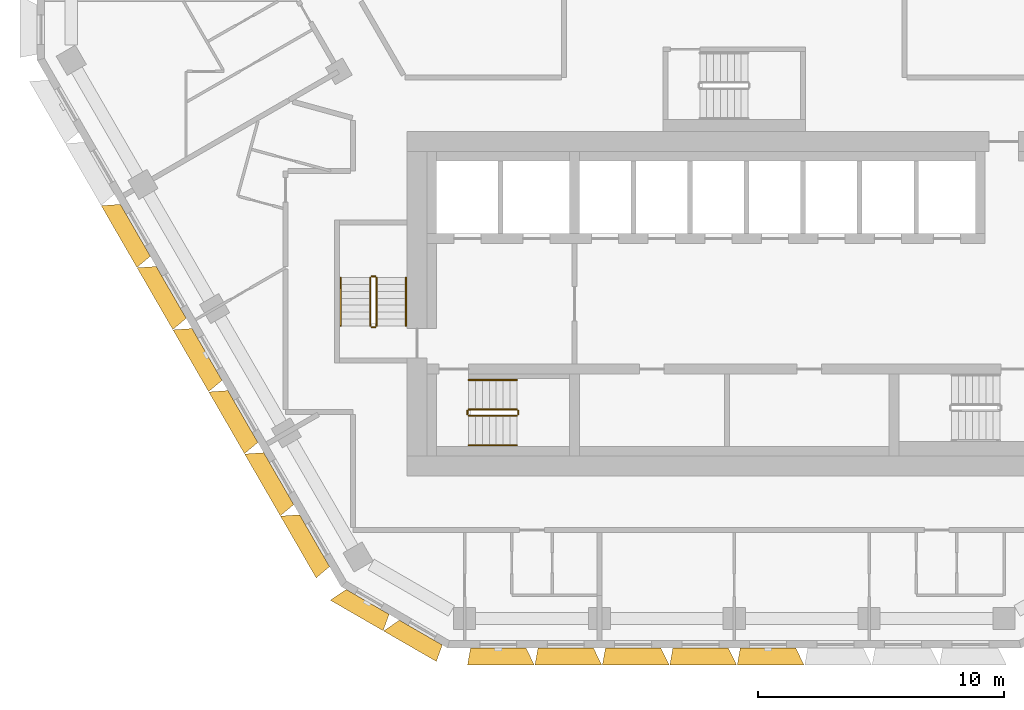
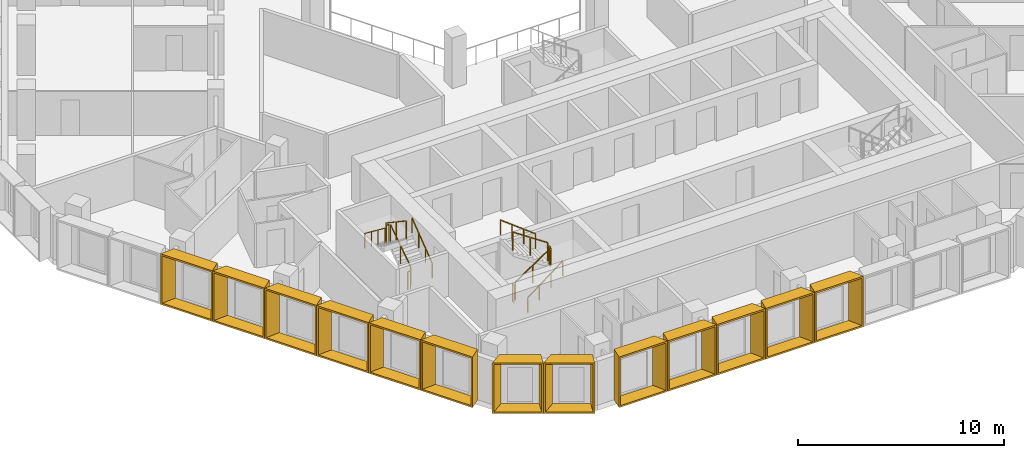
# One storey, part 14 of 17: 13 shading devices, 12 railings.
"""IFC4 building model written with IfcOpenShell, lengths in metres."""

from ifc_helpers import new_model, entity, si_unit, direction, frame, origin, origin_2d, place, context, subcontext, project, spatial, rectangle, extrude, source, transform, mapped, material, type_object, type_shapes, element, save


model = new_model("IFC4")

# Units and contexts
model_context = context("Model", 3, precision=1e-05, world=origin(), true_north=direction((0.0, 1.0)))
body_context = subcontext(model_context, "Body", "Model", "MODEL_VIEW")
ifc_project = project(units=[si_unit("LENGTHUNIT", "METRE"), si_unit("AREAUNIT", "SQUARE_METRE"), si_unit("VOLUMEUNIT", "CUBIC_METRE"), si_unit("PLANEANGLEUNIT", "RADIAN"), si_unit("MASSUNIT", "GRAM", prefix="KILO")], contexts=[model_context])

# Site, building, storey
site_placement = place(None, origin())
site = spatial("IfcSite", under=ifc_project, at=site_placement, CompositionType="ELEMENT")
building_placement = place(site_placement, origin())
building = spatial("IfcBuilding", under=site, at=building_placement, Name="Beryl Residences", CompositionType="ELEMENT")
storey_placement = place(building_placement, frame((0.0, 0.0, 150.60009765625)))
storey = spatial("IfcBuildingStorey", under=building, at=storey_placement, Name="L46", CompositionType="ELEMENT", Elevation=150.60009765625)

# Shading devices
ifc_material_1 = material(Name="Aluminium pale anodised", Category="aluminium")
shading_device_type_1 = type_object("IfcShadingDeviceType", Name="FR250-70B OUTER SKIN frame 700 mm deep, splay 26/10 deg, 2500 x 3000 mm cell", PredefinedType="USERDEFINED", material=ifc_material_1)
cartesian_point_1 = entity("IfcCartesianPoint", [-1.007568359375, 0.0])
cartesian_point_2 = entity("IfcCartesianPoint", [-0.91845703125, 0.10009765625])
cartesian_point_3 = entity("IfcCartesianPoint", [-1.348876953125, 0.0])
cartesian_point_4 = entity("IfcCartesianPoint", [-1.260009765625, 0.10009765625])
shared_shape_1 = source(origin(), body_context, "Body", "SweptSolid", [
    entity("IfcExtrudedAreaSolidTapered", entity("IfcArbitraryProfileDefWithVoids", "AREA", None, entity("IfcPolyline", [cartesian_point_1, entity("IfcCartesianPoint", [1.007568359375, 0.0]), entity("IfcCartesianPoint", [1.007568359375, 3.0]), entity("IfcCartesianPoint", [-1.007568359375, 3.0]), cartesian_point_1]), [entity("IfcPolyline", [cartesian_point_2, entity("IfcCartesianPoint", [0.92626953125, 0.10009765625]), entity("IfcCartesianPoint", [0.92626953125, 2.89990234375]), entity("IfcCartesianPoint", [-0.91845703125, 2.89990234375]), cartesian_point_2])]), entity("IfcAxis2Placement3D", entity("IfcCartesianPoint", [0.0, 0.0, 0.0]), entity("IfcDirection", [0.0, 1.0, 0.0]), entity("IfcDirection", [-1.0, 0.0, 0.0])), entity("IfcDirection", [0.0, 0.0, 1.0]), 0.699951171875, entity("IfcArbitraryProfileDefWithVoids", "AREA", None, entity("IfcPolyline", [cartesian_point_3, entity("IfcCartesianPoint", [1.130859375, 0.0]), entity("IfcCartesianPoint", [1.130859375, 3.0]), entity("IfcCartesianPoint", [-1.348876953125, 3.0]), cartesian_point_3]), [entity("IfcPolyline", [cartesian_point_4, entity("IfcCartesianPoint", [1.0498046875, 0.10009765625]), entity("IfcCartesianPoint", [1.0498046875, 2.89990234375]), entity("IfcCartesianPoint", [-1.260009765625, 2.89990234375]), cartesian_point_4])])),
])
type_shapes(shading_device_type_1, [shared_shape_1])
for number, where, z_axis, x_axis, name in (
    (1, (-14.909912109375, -24.125, 0.0), (0.0, 0.0, 1.0), (-0.866025403784, 0.5, 0.0), "FR250-70B frame L46 SW-S 1"),
    (2, (-12.7451171875, -25.375, 0.0), (0.0, 0.0, 1.0), (-0.866025403784, 0.5, 0.0), "FR250-70B frame L46 SW-S 2"),
):
    element("IfcShadingDevice", number, at=place(storey_placement, frame(where, z_axis=z_axis, x_axis=x_axis)), inside=storey, type_object=shading_device_type_1, Name=name, ObjectType="OUTER SKIN", PredefinedType="USERDEFINED", context=body_context, shape_type="MappedRepresentation", body=[
        mapped(shared_shape_1, transform((0.0, 0.0, 0.0))),
    ])
ifc_material_2 = material(Name="Aluminium pale anodised", Category="aluminium")
shading_device_type_2 = type_object("IfcShadingDeviceType", Name="FR274-70C OUTER SKIN frame 700 mm deep, splay 10/26 deg, 2740 x 3000 mm cell", PredefinedType="USERDEFINED", material=ifc_material_2)
cartesian_point_5 = entity("IfcCartesianPoint", [-1.12744140625, 0.0])
cartesian_point_6 = entity("IfcCartesianPoint", [-1.04638671875, 0.10009765625])
cartesian_point_7 = entity("IfcCartesianPoint", [-1.2509765625, 0.0])
cartesian_point_8 = entity("IfcCartesianPoint", [-1.169677734375, 0.10009765625])
shared_shape_2 = source(origin(), body_context, "Body", "SweptSolid", [
    entity("IfcExtrudedAreaSolidTapered", entity("IfcArbitraryProfileDefWithVoids", "AREA", None, entity("IfcPolyline", [cartesian_point_5, entity("IfcCartesianPoint", [1.12744140625, 0.0]), entity("IfcCartesianPoint", [1.12744140625, 3.0]), entity("IfcCartesianPoint", [-1.12744140625, 3.0]), cartesian_point_5]), [entity("IfcPolyline", [cartesian_point_6, entity("IfcCartesianPoint", [1.03857421875, 0.10009765625]), entity("IfcCartesianPoint", [1.03857421875, 2.89990234375]), entity("IfcCartesianPoint", [-1.04638671875, 2.89990234375]), cartesian_point_6])]), entity("IfcAxis2Placement3D", entity("IfcCartesianPoint", [0.0, 0.0, 0.0]), entity("IfcDirection", [0.0, 1.0, 0.0]), entity("IfcDirection", [-1.0, 0.0, 0.0])), entity("IfcDirection", [0.0, 0.0, 1.0]), 0.699951171875, entity("IfcArbitraryProfileDefWithVoids", "AREA", None, entity("IfcPolyline", [cartesian_point_7, entity("IfcCartesianPoint", [1.468994140625, 0.0]), entity("IfcCartesianPoint", [1.468994140625, 3.0]), entity("IfcCartesianPoint", [-1.2509765625, 3.0]), cartesian_point_7]), [entity("IfcPolyline", [cartesian_point_8, entity("IfcCartesianPoint", [1.3798828125, 0.10009765625]), entity("IfcCartesianPoint", [1.3798828125, 2.89990234375]), entity("IfcCartesianPoint", [-1.169677734375, 2.89990234375]), cartesian_point_8])])),
])
type_shapes(shading_device_type_2, [shared_shape_2])
for number, where, z_axis, x_axis, name in (
    (3, (-9.597900390625, -26.0, 0.0), (0.0, 0.0, 1.0), (-1.0, 0.0, 0.0), "FR274-70C frame L46 S 1"),
    (4, (-6.85498046875, -26.0, 0.0), (0.0, 0.0, 1.0), (-1.0, 0.0, 0.0), "FR274-70C frame L46 S 2"),
    (5, (-4.113037109375, -26.0, 0.0), (0.0, 0.0, 1.0), (-1.0, 0.0, 0.0), "FR274-70C frame L46 S 3"),
    (6, (-1.3701171875, -26.0, 0.0), (0.0, 0.0, 1.0), (-1.0, 0.0, 0.0), "FR274-70C frame L46 S 4"),
    (7, (1.3720703125, -26.0, 0.0), (0.0, 0.0, 1.0), (-1.0, 0.0, 0.0), "FR274-70C frame L46 S 5"),
):
    element("IfcShadingDevice", number, at=place(storey_placement, frame(where, z_axis=z_axis, x_axis=x_axis)), inside=storey, type_object=shading_device_type_2, Name=name, ObjectType="OUTER SKIN", PredefinedType="USERDEFINED", context=body_context, shape_type="MappedRepresentation", body=[
        mapped(shared_shape_2, transform((0.0, 0.0, 0.0))),
    ])
ifc_material_3 = material(Name="Aluminium pale anodised", Category="aluminium")
shading_device_type_3 = type_object("IfcShadingDeviceType", Name="FR292-70B OUTER SKIN frame 700 mm deep, splay 26/10 deg, 2920 x 3000 mm cell", PredefinedType="USERDEFINED", material=ifc_material_3)
cartesian_point_9 = entity("IfcCartesianPoint", [-1.217529296875, 0.0])
cartesian_point_10 = entity("IfcCartesianPoint", [-1.12841796875, 0.10009765625])
cartesian_point_11 = entity("IfcCartesianPoint", [-1.558837890625, 0.0])
cartesian_point_12 = entity("IfcCartesianPoint", [-1.469970703125, 0.10009765625])
shared_shape_3 = source(origin(), body_context, "Body", "SweptSolid", [
    entity("IfcExtrudedAreaSolidTapered", entity("IfcArbitraryProfileDefWithVoids", "AREA", None, entity("IfcPolyline", [cartesian_point_9, entity("IfcCartesianPoint", [1.217529296875, 0.0]), entity("IfcCartesianPoint", [1.217529296875, 3.0]), entity("IfcCartesianPoint", [-1.217529296875, 3.0]), cartesian_point_9]), [entity("IfcPolyline", [cartesian_point_10, entity("IfcCartesianPoint", [1.13623046875, 0.10009765625]), entity("IfcCartesianPoint", [1.13623046875, 2.89990234375]), entity("IfcCartesianPoint", [-1.12841796875, 2.89990234375]), cartesian_point_10])]), entity("IfcAxis2Placement3D", entity("IfcCartesianPoint", [0.0, 0.0, 0.0]), entity("IfcDirection", [0.0, 1.0, 0.0]), entity("IfcDirection", [-1.0, 0.0, 0.0])), entity("IfcDirection", [0.0, 0.0, 1.0]), 0.699951171875, entity("IfcArbitraryProfileDefWithVoids", "AREA", None, entity("IfcPolyline", [cartesian_point_11, entity("IfcCartesianPoint", [1.3408203125, 0.0]), entity("IfcCartesianPoint", [1.3408203125, 3.0]), entity("IfcCartesianPoint", [-1.558837890625, 3.0]), cartesian_point_11]), [entity("IfcPolyline", [cartesian_point_12, entity("IfcCartesianPoint", [1.259765625, 0.10009765625]), entity("IfcCartesianPoint", [1.259765625, 2.89990234375]), entity("IfcCartesianPoint", [-1.469970703125, 2.89990234375]), cartesian_point_12])])),
])
type_shapes(shading_device_type_3, [shared_shape_3])
for number, where, z_axis, x_axis, name in (
    (8, (-24.35693359375, -9.011962890625, 0.0), (0.0, 0.0, 1.0), (-0.5, 0.866025403784, 0.0), "FR292-70B frame L46 SW 3"),
    (9, (-22.89892578125, -11.537109375, 0.0), (0.0, 0.0, 1.0), (-0.5, 0.866025403784, 0.0), "FR292-70B frame L46 SW 4"),
    (10, (-21.44189453125, -14.06201171875, 0.0), (0.0, 0.0, 1.0), (-0.5, 0.866025403784, 0.0), "FR292-70B frame L46 SW 5"),
    (11, (-19.98388671875, -16.5859375, 0.0), (0.0, 0.0, 1.0), (-0.5, 0.866025403784, 0.0), "FR292-70B frame L46 SW 6"),
    (12, (-18.52587890625, -19.111083984375, 0.0), (0.0, 0.0, 1.0), (-0.5, 0.866025403784, 0.0), "FR292-70B frame L46 SW 7"),
    (13, (-17.068115234375, -21.635986328125, 0.0), (0.0, 0.0, 1.0), (-0.5, 0.866025403784, 0.0), "FR292-70B frame L46 SW 8"),
):
    element("IfcShadingDevice", number, at=place(storey_placement, frame(where, z_axis=z_axis, x_axis=x_axis)), inside=storey, type_object=shading_device_type_3, Name=name, ObjectType="OUTER SKIN", PredefinedType="USERDEFINED", context=body_context, shape_type="MappedRepresentation", body=[
        mapped(shared_shape_3, transform((0.0, 0.0, 0.0))),
    ])

# Railings
ifc_material_4 = material(Name="Stainless steel balustrade with glass infill", Category="steel")
railing_type_1 = type_object("IfcRailingType", Name="SG1 stair guard 1100 mm", PredefinedType="GUARDRAIL", material=ifc_material_4)
railing_1_placement = place(storey_placement, frame((-10.800048828125, -16.550048828125, 0.1875)))
element("IfcRailing", 14, at=railing_1_placement, inside=storey, type_object=railing_type_1, Name="L46 ST-1 stair guard 1", PredefinedType="GUARDRAIL", context=body_context, shape_type="SweptSolid", body=[
    extrude(rectangle(XDim=0.048095703125, YDim=0.048095703125, at=origin_2d()), frame((0.0, 0.0, 1.076171875), z_axis=(0.830902050051, 0.0, 0.556418712142), x_axis=(0.0, 1.0, 0.0)), (0.0, 0.0, 1.0), 2.35888671875),
    extrude(rectangle(XDim=0.0419921875, YDim=0.0419921875, at=origin_2d()), origin(), (0.0, 0.0, 1.0), 1.052001953125),
    extrude(rectangle(XDim=0.0419921875, YDim=0.0419921875, at=origin_2d()), frame((0.97998046875, 0.0, 0.65625)), (0.0, 0.0, 1.0), 1.052001953125),
    extrude(rectangle(XDim=0.0419921875, YDim=0.0419921875, at=origin_2d()), frame((1.9599609375, 0.0, 1.3125)), (0.0, 0.0, 1.0), 1.052001953125),
])
railing_2_placement = place(storey_placement, frame((-8.7900390625, -16.5, 1.5)))
element("IfcRailing", 15, at=railing_2_placement, inside=storey, type_object=railing_type_1, Name="L46 ST-1 stair guard 2", PredefinedType="GUARDRAIL", context=body_context, shape_type="SweptSolid", body=[
    extrude(rectangle(XDim=0.048095703125, YDim=0.048095703125, at=origin_2d()), frame((0.0, 0.0, 1.076171875), z_axis=(0.0, 1.0, 0.0), x_axis=(-1.0, 0.0, 0.0)), (0.0, 0.0, 1.0), 0.14990234375),
    extrude(rectangle(XDim=0.0419921875, YDim=0.0419921875, at=origin_2d()), origin(), (0.0, 0.0, 1.0), 1.052001953125),
    extrude(rectangle(XDim=0.0419921875, YDim=0.0419921875, at=origin_2d()), frame((0.0, 0.14990234375, 0.0)), (0.0, 0.0, 1.0), 1.052001953125),
])
railing_3_placement = place(storey_placement, frame((-8.840087890625, -16.300048828125, 1.6875)))
element("IfcRailing", 16, at=railing_3_placement, inside=storey, type_object=railing_type_1, Name="L46 ST-1 stair guard 3", PredefinedType="GUARDRAIL", context=body_context, shape_type="SweptSolid", body=[
    extrude(rectangle(XDim=0.048095703125, YDim=0.048095703125, at=origin_2d()), frame((0.0, 0.0, 1.076171875), z_axis=(-0.830902050051, 0.0, 0.556418712142), x_axis=(0.0, -1.0, 0.0)), (0.0, 0.0, 1.0), 2.35888671875),
    extrude(rectangle(XDim=0.0419921875, YDim=0.0419921875, at=origin_2d()), origin(), (0.0, 0.0, 1.0), 1.052001953125),
    extrude(rectangle(XDim=0.0419921875, YDim=0.0419921875, at=origin_2d()), frame((-0.97998046875, 0.0, 0.65625)), (0.0, 0.0, 1.0), 1.052001953125),
    extrude(rectangle(XDim=0.0419921875, YDim=0.0419921875, at=origin_2d()), frame((-1.9599609375, 0.0, 1.3125)), (0.0, 0.0, 1.0), 1.052001953125),
])
railing_4_placement = place(storey_placement, frame((-10.85009765625, -16.5, 0.0)))
element("IfcRailing", 17, at=railing_4_placement, inside=storey, type_object=railing_type_1, Name="L46 ST-1 stair guard 4", PredefinedType="GUARDRAIL", context=body_context, shape_type="SweptSolid", body=[
    extrude(rectangle(XDim=0.048095703125, YDim=0.048095703125, at=origin_2d()), frame((0.0, 0.0, 1.076171875), z_axis=(0.0, 1.0, 0.0), x_axis=(-1.0, 0.0, 0.0)), (0.0, 0.0, 1.0), 0.14990234375),
    extrude(rectangle(XDim=0.0419921875, YDim=0.0419921875, at=origin_2d()), origin(), (0.0, 0.0, 1.0), 1.052001953125),
    extrude(rectangle(XDim=0.0419921875, YDim=0.0419921875, at=origin_2d()), frame((0.0, 0.14990234375, 0.0)), (0.0, 0.0, 1.0), 1.052001953125),
])
railing_5_placement = place(storey_placement, frame((-14.550048828125, -12.89990234375, 0.1875)))
element("IfcRailing", 18, at=railing_5_placement, inside=storey, type_object=railing_type_1, Name="L46 ST-2 stair guard 1", PredefinedType="GUARDRAIL", context=body_context, shape_type="SweptSolid", body=[
    extrude(rectangle(XDim=0.048095703125, YDim=0.048095703125, at=origin_2d()), frame((0.0, 0.0, 1.076171875), z_axis=(0.0, 0.830902050051, 0.556418712142), x_axis=(-1.0, 0.0, 0.0)), (0.0, 0.0, 1.0), 2.35888671875),
    extrude(rectangle(XDim=0.0419921875, YDim=0.0419921875, at=origin_2d()), origin(), (0.0, 0.0, 1.0), 1.052001953125),
    extrude(rectangle(XDim=0.0419921875, YDim=0.0419921875, at=origin_2d()), frame((0.0, 0.97998046875, 0.65625)), (0.0, 0.0, 1.0), 1.052001953125),
    extrude(rectangle(XDim=0.0419921875, YDim=0.0419921875, at=origin_2d()), frame((0.0, 1.9599609375, 1.3125)), (0.0, 0.0, 1.0), 1.052001953125),
])
railing_6_placement = place(storey_placement, frame((-14.60009765625, -10.889892578125, 1.5)))
element("IfcRailing", 19, at=railing_6_placement, inside=storey, type_object=railing_type_1, Name="L46 ST-2 stair guard 2", PredefinedType="GUARDRAIL", context=body_context, shape_type="SweptSolid", body=[
    extrude(rectangle(XDim=0.048095703125, YDim=0.048095703125, at=origin_2d()), frame((0.0, 0.0, 1.076171875), z_axis=(-1.0, 0.0, 0.0), x_axis=(0.0, -1.0, 0.0)), (0.0, 0.0, 1.0), 0.14990234375),
    extrude(rectangle(XDim=0.0419921875, YDim=0.0419921875, at=origin_2d()), origin(), (0.0, 0.0, 1.0), 1.052001953125),
    extrude(rectangle(XDim=0.0419921875, YDim=0.0419921875, at=origin_2d()), frame((-0.14990234375, 0.0, 0.0)), (0.0, 0.0, 1.0), 1.052001953125),
])
railing_7_placement = place(storey_placement, frame((-14.800048828125, -10.93994140625, 1.6875)))
element("IfcRailing", 20, at=railing_7_placement, inside=storey, type_object=railing_type_1, Name="L46 ST-2 stair guard 3", PredefinedType="GUARDRAIL", context=body_context, shape_type="SweptSolid", body=[
    extrude(rectangle(XDim=0.048095703125, YDim=0.048095703125, at=origin_2d()), frame((0.0, 0.0, 1.076171875), z_axis=(0.0, -0.830902050051, 0.556418712142), x_axis=(1.0, 0.0, 0.0)), (0.0, 0.0, 1.0), 2.35888671875),
    extrude(rectangle(XDim=0.0419921875, YDim=0.0419921875, at=origin_2d()), origin(), (0.0, 0.0, 1.0), 1.052001953125),
    extrude(rectangle(XDim=0.0419921875, YDim=0.0419921875, at=origin_2d()), frame((0.0, -0.97998046875, 0.65625)), (0.0, 0.0, 1.0), 1.052001953125),
    extrude(rectangle(XDim=0.0419921875, YDim=0.0419921875, at=origin_2d()), frame((0.0, -1.9599609375, 1.3125)), (0.0, 0.0, 1.0), 1.052001953125),
])
railing_8_placement = place(storey_placement, frame((-14.60009765625, -12.949951171875, 0.0)))
element("IfcRailing", 21, at=railing_8_placement, inside=storey, type_object=railing_type_1, Name="L46 ST-2 stair guard 4", PredefinedType="GUARDRAIL", context=body_context, shape_type="SweptSolid", body=[
    extrude(rectangle(XDim=0.048095703125, YDim=0.048095703125, at=origin_2d()), frame((0.0, 0.0, 1.076171875), z_axis=(-1.0, 0.0, 0.0), x_axis=(0.0, -1.0, 0.0)), (0.0, 0.0, 1.0), 0.14990234375),
    extrude(rectangle(XDim=0.0419921875, YDim=0.0419921875, at=origin_2d()), origin(), (0.0, 0.0, 1.0), 1.052001953125),
    extrude(rectangle(XDim=0.0419921875, YDim=0.0419921875, at=origin_2d()), frame((-0.14990234375, 0.0, 0.0)), (0.0, 0.0, 1.0), 1.052001953125),
])
ifc_material_5 = material(Name="Stainless steel handrail", Category="steel")
railing_type_2 = type_object("IfcRailingType", Name="SRL1 stair handrail 900 mm", PredefinedType="HANDRAIL", material=ifc_material_5)
railing_9_placement = place(storey_placement, frame((-10.800048828125, -17.75, 0.1875)))
element("IfcRailing", 22, at=railing_9_placement, inside=storey, type_object=railing_type_2, Name="L46 ST-1 stair handrail 1", PredefinedType="HANDRAIL", context=body_context, shape_type="SweptSolid", body=[
    extrude(rectangle(XDim=0.048095703125, YDim=0.048095703125, at=origin_2d()), frame((0.0, 0.0, 0.8759765625), z_axis=(0.794121922505, 0.0, 0.607758481798), x_axis=(0.0, 1.0, 0.0)), (0.0, 0.0, 1.0), 2.468017578125),
    extrude(rectangle(XDim=0.0419921875, YDim=0.0419921875, at=origin_2d()), origin(), (0.0, 0.0, 1.0), 0.851806640625),
    extrude(rectangle(XDim=0.0419921875, YDim=0.0419921875, at=origin_2d()), frame((0.6533203125, 0.0, 0.5)), (0.0, 0.0, 1.0), 0.851806640625),
    extrude(rectangle(XDim=0.0419921875, YDim=0.0419921875, at=origin_2d()), frame((1.306640625, 0.0, 1.0)), (0.0, 0.0, 1.0), 0.851806640625),
    extrude(rectangle(XDim=0.0419921875, YDim=0.0419921875, at=origin_2d()), frame((1.9599609375, 0.0, 1.5)), (0.0, 0.0, 1.0), 0.851806640625),
])
railing_10_placement = place(storey_placement, frame((-8.840087890625, -15.10009765625, 1.6875)))
element("IfcRailing", 23, at=railing_10_placement, inside=storey, type_object=railing_type_2, Name="L46 ST-1 stair handrail 2", PredefinedType="HANDRAIL", context=body_context, shape_type="SweptSolid", body=[
    extrude(rectangle(XDim=0.048095703125, YDim=0.048095703125, at=origin_2d()), frame((0.0, 0.0, 0.8759765625), z_axis=(-0.794121922505, 0.0, 0.607758481798), x_axis=(0.0, -1.0, 0.0)), (0.0, 0.0, 1.0), 2.468017578125),
    extrude(rectangle(XDim=0.0419921875, YDim=0.0419921875, at=origin_2d()), origin(), (0.0, 0.0, 1.0), 0.851806640625),
    extrude(rectangle(XDim=0.0419921875, YDim=0.0419921875, at=origin_2d()), frame((-0.6533203125, 0.0, 0.5)), (0.0, 0.0, 1.0), 0.851806640625),
    extrude(rectangle(XDim=0.0419921875, YDim=0.0419921875, at=origin_2d()), frame((-1.306640625, 0.0, 1.0)), (0.0, 0.0, 1.0), 0.851806640625),
    extrude(rectangle(XDim=0.0419921875, YDim=0.0419921875, at=origin_2d()), frame((-1.9599609375, 0.0, 1.5)), (0.0, 0.0, 1.0), 0.851806640625),
])
railing_11_placement = place(storey_placement, frame((-13.35009765625, -12.89990234375, 0.1875)))
element("IfcRailing", 24, at=railing_11_placement, inside=storey, type_object=railing_type_2, Name="L46 ST-2 stair handrail 1", PredefinedType="HANDRAIL", context=body_context, shape_type="SweptSolid", body=[
    extrude(rectangle(XDim=0.048095703125, YDim=0.048095703125, at=origin_2d()), frame((0.0, 0.0, 0.8759765625), z_axis=(0.0, 0.794121922505, 0.607758481798), x_axis=(-1.0, 0.0, 0.0)), (0.0, 0.0, 1.0), 2.468017578125),
    extrude(rectangle(XDim=0.0419921875, YDim=0.0419921875, at=origin_2d()), origin(), (0.0, 0.0, 1.0), 0.851806640625),
    extrude(rectangle(XDim=0.0419921875, YDim=0.0419921875, at=origin_2d()), frame((0.0, 0.6533203125, 0.5)), (0.0, 0.0, 1.0), 0.851806640625),
    extrude(rectangle(XDim=0.0419921875, YDim=0.0419921875, at=origin_2d()), frame((0.0, 1.306640625, 1.0)), (0.0, 0.0, 1.0), 0.851806640625),
    extrude(rectangle(XDim=0.0419921875, YDim=0.0419921875, at=origin_2d()), frame((0.0, 1.9599609375, 1.5)), (0.0, 0.0, 1.0), 0.851806640625),
])
railing_12_placement = place(storey_placement, frame((-16.0, -10.93994140625, 1.6875)))
element("IfcRailing", 25, at=railing_12_placement, inside=storey, type_object=railing_type_2, Name="L46 ST-2 stair handrail 2", PredefinedType="HANDRAIL", context=body_context, shape_type="SweptSolid", body=[
    extrude(rectangle(XDim=0.048095703125, YDim=0.048095703125, at=origin_2d()), frame((0.0, 0.0, 0.8759765625), z_axis=(0.0, -0.794121922505, 0.607758481798), x_axis=(1.0, 0.0, 0.0)), (0.0, 0.0, 1.0), 2.468017578125),
    extrude(rectangle(XDim=0.0419921875, YDim=0.0419921875, at=origin_2d()), origin(), (0.0, 0.0, 1.0), 0.851806640625),
    extrude(rectangle(XDim=0.0419921875, YDim=0.0419921875, at=origin_2d()), frame((0.0, -0.6533203125, 0.5)), (0.0, 0.0, 1.0), 0.851806640625),
    extrude(rectangle(XDim=0.0419921875, YDim=0.0419921875, at=origin_2d()), frame((0.0, -1.306640625, 1.0)), (0.0, 0.0, 1.0), 0.851806640625),
    extrude(rectangle(XDim=0.0419921875, YDim=0.0419921875, at=origin_2d()), frame((0.0, -1.9599609375, 1.5)), (0.0, 0.0, 1.0), 0.851806640625),
])

save(model, "model.ifc")
